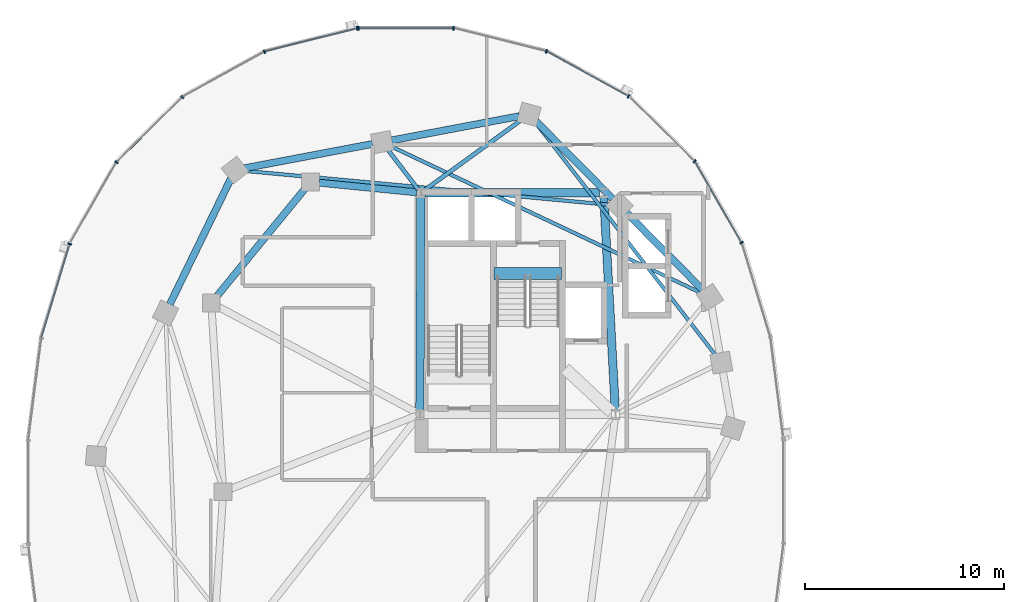
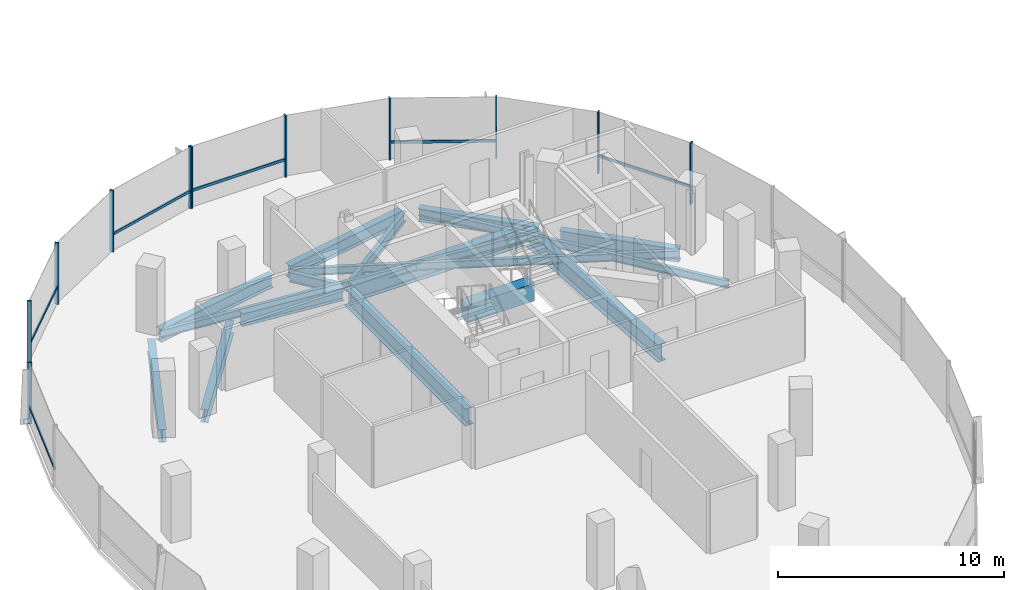
# One storey, part 5 of 21: 17 members, 16 beams, 2 elements without a shape of their own.
"""IFC4 building model written with IfcOpenShell, lengths in metres."""

from ifc_helpers import new_model, si_unit, direction, frame, origin, origin_2d, place, context, subcontext, project, spatial, rectangle, i_section, extrude, material, material_profile, profile_set, type_object, element, aggregate, save


model = new_model("IFC4")

# Units and contexts
model_context = context("Model", 3, precision=1e-05, world=origin(), true_north=direction((0.0, 1.0)))
body_context = subcontext(model_context, "Body", "Model", "MODEL_VIEW")
ifc_project = project(units=[si_unit("LENGTHUNIT", "METRE"), si_unit("AREAUNIT", "SQUARE_METRE"), si_unit("VOLUMEUNIT", "CUBIC_METRE"), si_unit("PLANEANGLEUNIT", "RADIAN"), si_unit("MASSUNIT", "GRAM", prefix="KILO"), si_unit("THERMODYNAMICTEMPERATUREUNIT", "KELVIN"), si_unit("POWERUNIT", "WATT")], contexts=[model_context])

# Site, building, storey
site_placement = place(None, origin())
site = spatial("IfcSite", under=ifc_project, at=site_placement, CompositionType="ELEMENT")
building_placement = place(site_placement, origin())
building = spatial("IfcBuilding", under=site, at=building_placement, Name="Cundina Bronze Exchange", CompositionType="ELEMENT")
storey_placement = place(building_placement, frame((0.0, 0.0, 183.60009765625)))
storey = spatial("IfcBuildingStorey", under=building, at=storey_placement, Name="L48", CompositionType="ELEMENT", Elevation=183.60009765625)

# Beams
ifc_material_1 = material(Name="Concrete C60/75", Category="concrete")
ifc_material_profile_1 = material_profile(ifc_material_1, rectangle(XDim=0.60009765625, YDim=0.949951171875, at=origin_2d()), Name="RC600X950", Category="concrete")
ifc_profile_set_1 = profile_set([ifc_material_profile_1], Name="Concrete C60/75")
beam_type_1 = type_object("IfcBeamType", Name="BM-COUP-RC950", PredefinedType="LINTEL", material=ifc_profile_set_1)
beam_1_placement = place(storey_placement, frame((-27.56005859375, 10.97998046875, -0.47509765625), z_axis=(1.0, 0.0, 0.0), x_axis=(0.0, 1.0, 0.0)))
element("IfcBeam", 1, at=beam_1_placement, inside=storey, type_object=beam_type_1, Name="L48 Stair W2 Landing Header Beam", PredefinedType="LINTEL", context=body_context, shape_type="SweptSolid", body=[
    extrude(rectangle(XDim=0.60009765625, YDim=0.949951171875, at=origin_2d()), origin(), (0.0, 0.0, 1.0), 3.400146484375),
])
ifc_material_2 = material(Name="Steel ASTM A992 Grade 50", Category="steel")
ifc_material_profile_2 = material_profile(ifc_material_2, i_section(OverallWidth=0.2119140625, OverallDepth=0.5439453125, WebThickness=0.01318359375, FlangeThickness=0.021240234375, FilletRadius=0.013916015625, at=origin_2d()), Name="W21X83", Category="steel")
ifc_profile_set_2 = profile_set([ifc_material_profile_2], Name="Steel ASTM A992 Grade 50")
beam_type_2 = type_object("IfcBeamType", Name="BM-FLR-W21A", PredefinedType="BEAM", material=ifc_profile_set_2)
beam_2_placement = place(storey_placement, frame((-31.084716796875, 15.169677734375, -0.51220703125), z_axis=(0.809693047063, 0.586853618492, 0.0), x_axis=(-0.586853618492, 0.809693047063, 0.0)))
element("IfcBeam", 2, at=beam_2_placement, inside=storey, type_object=beam_type_2, Name="L48 Leg W Radial Floor Beam 04", PredefinedType="BEAM", context=body_context, shape_type="SweptSolid", body=[
    extrude(i_section(OverallWidth=0.2119140625, OverallDepth=0.5439453125, WebThickness=0.01318359375, FlangeThickness=0.021240234375, FilletRadius=0.013916015625, at=origin_2d()), origin(), (0.0, 0.0, 1.0), 6.038818359375),
])
beam_3_placement = place(storey_placement, frame((-31.373779296875, 15.2119140625, -0.51220703125), z_axis=(-0.607450107571, 0.794357832977, 0.0), x_axis=(-0.794357832977, -0.607450107571, 0.0)))
element("IfcBeam", 3, at=beam_3_placement, inside=storey, type_object=beam_type_2, Name="L48 Leg W Radial Floor Beam 05", PredefinedType="BEAM", context=body_context, shape_type="SweptSolid", body=[
    extrude(i_section(OverallWidth=0.2119140625, OverallDepth=0.5439453125, WebThickness=0.01318359375, FlangeThickness=0.021240234375, FilletRadius=0.013916015625, at=origin_2d()), origin(), (0.0, 0.0, 1.0), 2.518310546875),
])
ifc_material_profile_3 = material_profile(ifc_material_2, i_section(OverallWidth=0.178955078125, OverallDepth=0.409912109375, WebThickness=0.0087890625, FlangeThickness=0.014404296875, FilletRadius=0.010986328125, at=origin_2d()), Name="W16X45", Category="steel")
ifc_profile_set_3 = profile_set([ifc_material_profile_3], Name="Steel ASTM A992 Grade 50")
beam_type_3 = type_object("IfcBeamType", Name="BM-JST-W16", PredefinedType="JOIST", material=ifc_profile_set_3)
beam_4_placement = place(storey_placement, frame((-16.423583984375, 6.885986328125, -0.445068359375), z_axis=(-0.61208354334, 0.790793105668, 0.0), x_axis=(-0.790793105668, -0.61208354334, 0.0)))
element("IfcBeam", 4, at=beam_4_placement, inside=storey, type_object=beam_type_3, Name="L48 Leg W Lobe Floor Joist 01-04", PredefinedType="JOIST", context=body_context, shape_type="SweptSolid", body=[
    extrude(i_section(OverallWidth=0.178955078125, OverallDepth=0.409912109375, WebThickness=0.0087890625, FlangeThickness=0.014404296875, FilletRadius=0.010986328125, at=origin_2d()), origin(), (0.0, 0.0, 1.0), 14.830810546875),
])
beam_5_placement = place(storey_placement, frame((-17.14111328125, 10.008544921875, -0.445068359375), z_axis=(-0.904074252188, 0.427375416385, 0.0), x_axis=(-0.427375416385, -0.904074252188, 0.0)))
element("IfcBeam", 5, at=beam_5_placement, inside=storey, type_object=beam_type_3, Name="L48 Leg W Lobe Floor Joist 02-05", PredefinedType="JOIST", context=body_context, shape_type="SweptSolid", body=[
    extrude(i_section(OverallWidth=0.178955078125, OverallDepth=0.409912109375, WebThickness=0.0087890625, FlangeThickness=0.014404296875, FilletRadius=0.010986328125, at=origin_2d()), origin(), (0.0, 0.0, 1.0), 17.274658203125),
])
beam_6_placement = place(storey_placement, frame((-21.73583984375, 14.4453125, -0.445068359375), z_axis=(-0.995701840093, 0.092616659595, 0.0), x_axis=(-0.092616659595, -0.995701840093, 0.0)))
element("IfcBeam", 6, at=beam_6_placement, inside=storey, type_object=beam_type_3, Name="L48 Leg W Lobe Floor Joist 03-06", PredefinedType="JOIST", context=body_context, shape_type="SweptSolid", body=[
    extrude(i_section(OverallWidth=0.178955078125, OverallDepth=0.409912109375, WebThickness=0.0087890625, FlangeThickness=0.014404296875, FilletRadius=0.010986328125, at=origin_2d()), origin(), (0.0, 0.0, 1.0), 18.45751953125),
])
ifc_material_profile_4 = material_profile(ifc_material_2, i_section(OverallWidth=0.35498046875, OverallDepth=0.695068359375, WebThickness=0.015380859375, FlangeThickness=0.02490234375, FilletRadius=0.01806640625, at=origin_2d()), Name="W27X146", Category="steel")
ifc_profile_set_4 = profile_set([ifc_material_profile_4], Name="Steel ASTM A992 Grade 50")
beam_type_4 = type_object("IfcBeamType", Name="BM-RING-W27", PredefinedType="USERDEFINED", material=ifc_profile_set_4)
beam_7_placement = place(storey_placement, frame((-31.452880859375, 15.070068359375, -0.587646484375), z_axis=(-0.995123020608, 0.098641643622, 0.0), x_axis=(-0.098641643622, -0.995123020608, 0.0)))
element("IfcBeam", 7, at=beam_7_placement, inside=storey, type_object=beam_type_4, Name="L48 W Inner Structural Ring Girder 01", ObjectType="GIRDER", PredefinedType="USERDEFINED", context=body_context, shape_type="SweptSolid", body=[
    extrude(i_section(OverallWidth=0.35498046875, OverallDepth=0.695068359375, WebThickness=0.015380859375, FlangeThickness=0.02490234375, FilletRadius=0.01806640625, at=origin_2d()), origin(), (0.0, 0.0, 1.0), 4.935302734375),
])
beam_8_placement = place(storey_placement, frame((-37.07763671875, 15.26123046875, -0.587646484375), z_axis=(-0.633912590175, -0.77340469873, 0.0), x_axis=(0.77340469873, -0.633912590175, 0.0)))
element("IfcBeam", 8, at=beam_8_placement, inside=storey, type_object=beam_type_4, Name="L48 W Inner Structural Ring Girder 02", ObjectType="GIRDER", PredefinedType="USERDEFINED", context=body_context, shape_type="SweptSolid", body=[
    extrude(i_section(OverallWidth=0.35498046875, OverallDepth=0.695068359375, WebThickness=0.015380859375, FlangeThickness=0.02490234375, FilletRadius=0.01806640625, at=origin_2d()), origin(), (0.0, 0.0, 1.0), 7.01123046875),
])
beam_9_placement = place(storey_placement, frame((-17.043212890625, 10.14697265625, -0.587646484375), z_axis=(-0.703230112979, 0.710962311378, 0.0), x_axis=(-0.710962311378, -0.703230112979, 0.0)))
element("IfcBeam", 9, at=beam_9_placement, inside=storey, type_object=beam_type_4, Name="L48 W Perimeter Ring Girder 02", ObjectType="GIRDER", PredefinedType="USERDEFINED", context=body_context, shape_type="SweptSolid", body=[
    extrude(i_section(OverallWidth=0.35498046875, OverallDepth=0.695068359375, WebThickness=0.015380859375, FlangeThickness=0.02490234375, FilletRadius=0.01806640625, at=origin_2d()), origin(), (0.0, 0.0, 1.0), 5.493896484375),
])
beam_10_placement = place(storey_placement, frame((-21.59326171875, 14.746826171875, -0.587646484375), z_axis=(-0.703207895705, 0.710984286337, 0.0), x_axis=(-0.710984286337, -0.703207895705, 0.0)))
element("IfcBeam", 10, at=beam_10_placement, inside=storey, type_object=beam_type_4, Name="L48 W Perimeter Ring Girder 03", ObjectType="GIRDER", PredefinedType="USERDEFINED", context=body_context, shape_type="SweptSolid", body=[
    extrude(i_section(OverallWidth=0.35498046875, OverallDepth=0.695068359375, WebThickness=0.015380859375, FlangeThickness=0.02490234375, FilletRadius=0.01806640625, at=origin_2d()), origin(), (0.0, 0.0, 1.0), 5.494140625),
])
beam_11_placement = place(storey_placement, frame((-26.279541015625, 18.9091796875, -0.587646484375), z_axis=(-0.982571532667, -0.185884865421, 0.0), x_axis=(0.185884865421, -0.982571532667, 0.0)))
element("IfcBeam", 11, at=beam_11_placement, inside=storey, type_object=beam_type_4, Name="L48 W Perimeter Ring Girder 04", ObjectType="GIRDER", PredefinedType="USERDEFINED", context=body_context, shape_type="SweptSolid", body=[
    extrude(i_section(OverallWidth=0.35498046875, OverallDepth=0.695068359375, WebThickness=0.015380859375, FlangeThickness=0.02490234375, FilletRadius=0.01806640625, at=origin_2d()), origin(), (0.0, 0.0, 1.0), 6.55517578125),
])
beam_12_placement = place(storey_placement, frame((-33.679443359375, 17.50927734375, -0.587646484375), z_axis=(-0.982572819495, -0.185878063226, 0.0), x_axis=(0.185878063226, -0.982572819495, 0.0)))
element("IfcBeam", 12, at=beam_12_placement, inside=storey, type_object=beam_type_4, Name="L48 W Perimeter Ring Girder 05", ObjectType="GIRDER", PredefinedType="USERDEFINED", context=body_context, shape_type="SweptSolid", body=[
    extrude(i_section(OverallWidth=0.35498046875, OverallDepth=0.695068359375, WebThickness=0.015380859375, FlangeThickness=0.02490234375, FilletRadius=0.01806640625, at=origin_2d()), origin(), (0.0, 0.0, 1.0), 6.555419921875),
])
beam_13_placement = place(storey_placement, frame((-40.8134765625, 15.760986328125, -0.587646484375), z_axis=(-0.437196998825, -0.89936576776, 0.0), x_axis=(0.89936576776, -0.437196998825, 0.0)))
element("IfcBeam", 13, at=beam_13_placement, inside=storey, type_object=beam_type_4, Name="L48 W Perimeter Ring Girder 06", ObjectType="GIRDER", PredefinedType="USERDEFINED", context=body_context, shape_type="SweptSolid", body=[
    extrude(i_section(OverallWidth=0.35498046875, OverallDepth=0.695068359375, WebThickness=0.015380859375, FlangeThickness=0.02490234375, FilletRadius=0.01806640625, at=origin_2d()), origin(), (0.0, 0.0, 1.0), 7.029541015625),
])
ifc_material_profile_5 = material_profile(ifc_material_2, i_section(OverallWidth=0.41796875, OverallDepth=0.927001953125, WebThickness=0.019287109375, FlangeThickness=0.031982421875, FilletRadius=0.02392578125, at=origin_2d()), Name="W36X231", Category="steel")
ifc_profile_set_5 = profile_set([ifc_material_profile_5], Name="Steel ASTM A992 Grade 50")
beam_type_5 = type_object("IfcBeamType", Name="BM-WRN-W36B", PredefinedType="USERDEFINED", material=ifc_profile_set_5)
beam_14_placement = place(storey_placement, frame((-21.4609375, 4.103759765625, -0.70361328125), z_axis=(-0.053739193498, 0.998555005537, 0.0), x_axis=(-0.998555005537, -0.053739193498, 0.0)))
element("IfcBeam", 14, at=beam_14_placement, inside=storey, type_object=beam_type_5, Name="L48 W Core Perimeter Tie Girder 2", ObjectType="GIRDER", PredefinedType="USERDEFINED", context=body_context, shape_type="SweptSolid", body=[
    extrude(i_section(OverallWidth=0.41796875, OverallDepth=0.927001953125, WebThickness=0.019287109375, FlangeThickness=0.031982421875, FilletRadius=0.02392578125, at=origin_2d()), origin(), (0.0, 0.0, 1.0), 10.758056640625),
])
beam_15_placement = place(storey_placement, frame((-22.25390625, 15.050048828125, -0.70361328125), z_axis=(-1.0, 0.0, 0.0), x_axis=(0.0, -1.0, 0.0)))
element("IfcBeam", 15, at=beam_15_placement, inside=storey, type_object=beam_type_5, Name="L48 W Core Perimeter Tie Girder 3", ObjectType="GIRDER", PredefinedType="USERDEFINED", context=body_context, shape_type="SweptSolid", body=[
    extrude(i_section(OverallWidth=0.41796875, OverallDepth=0.927001953125, WebThickness=0.019287109375, FlangeThickness=0.031982421875, FilletRadius=0.02392578125, at=origin_2d()), origin(), (0.0, 0.0, 1.0), 8.7919921875),
])
beam_16_placement = place(storey_placement, frame((-31.2509765625, 14.845947265625, -0.70361328125), z_axis=(-0.004477329608, -0.99998997671, 0.0), x_axis=(0.99998997671, -0.004477329608, 0.0)))
element("IfcBeam", 16, at=beam_16_placement, inside=storey, type_object=beam_type_5, Name="L48 W Core Perimeter Tie Girder 4", ObjectType="GIRDER", PredefinedType="USERDEFINED", context=body_context, shape_type="SweptSolid", body=[
    extrude(i_section(OverallWidth=0.41796875, OverallDepth=0.927001953125, WebThickness=0.019287109375, FlangeThickness=0.031982421875, FilletRadius=0.02392578125, at=origin_2d()), origin(), (0.0, 0.0, 1.0), 10.741943359375),
])

# Curtain wall, members
ifc_material_3 = material(Name="Anodised Bronze Aluminium 6063-T6", Category="aluminium")
curtain_wall_type = type_object("IfcCurtainWallType", Name="CWS-WST-PIN", PredefinedType="NOTDEFINED", material=ifc_material_3)
curtain_wall_1_placement = place(storey_placement, origin())
curtain_wall_1 = element("IfcCurtainWall", 17, at=curtain_wall_1_placement, inside=storey, type_object=curtain_wall_type, Name="L48 CW-04 Curtain Wall Run CWR-L48-W1", PredefinedType="NOTDEFINED")
ifc_material_profile_6 = material_profile(ifc_material_3, rectangle(XDim=0.070068359375, YDim=0.18994140625, at=origin_2d()), Name="AL70X190", Category="aluminium")
ifc_profile_set_6 = profile_set([ifc_material_profile_6], Name="Anodised Bronze Aluminium 6063-T6")
member_type_1 = type_object("IfcMemberType", Name="CWM-MUL-190", PredefinedType="MULLION", material=ifc_profile_set_6)
member_1_placement = place(storey_placement, frame((-15.10205078125, 12.541259765625, 0.0), z_axis=(0.0, 0.0, 1.0), x_axis=(-0.498487739754, 0.866896748936, 0.0)))
member_1 = element("IfcMember", 18, at=member_1_placement, type_object=member_type_1, Name="CW-04 Mullion 3", PredefinedType="MULLION", context=body_context, shape_type="SweptSolid", body=[
    extrude(rectangle(XDim=0.070068359375, YDim=0.18994140625, at=origin_2d()), origin(), (0.0, 0.0, 1.0), 3.31982421875),
])
member_2_placement = place(storey_placement, frame((-17.469482421875, 16.640380859375, 0.0), z_axis=(0.0, 0.0, 1.0), x_axis=(-0.712026045991, 0.702153052995, 0.0)))
member_2 = element("IfcMember", 19, at=member_2_placement, type_object=member_type_1, Name="CW-04 Mullion 4", PredefinedType="MULLION", context=body_context, shape_type="SweptSolid", body=[
    extrude(rectangle(XDim=0.070068359375, YDim=0.18994140625, at=origin_2d()), origin(), (0.0, 0.0, 1.0), 3.31982421875),
])
member_3_placement = place(storey_placement, frame((-20.79345703125, 19.906005859375, 0.0), z_axis=(0.0, 0.0, 1.0), x_axis=(-0.875885937035, 0.482518212408, 0.0)))
member_3 = element("IfcMember", 20, at=member_3_placement, type_object=member_type_1, Name="CW-04 Mullion 5", PredefinedType="MULLION", context=body_context, shape_type="SweptSolid", body=[
    extrude(rectangle(XDim=0.070068359375, YDim=0.18994140625, at=origin_2d()), origin(), (0.0, 0.0, 1.0), 3.31982421875),
])
member_4_placement = place(storey_placement, frame((-24.932373046875, 22.17626953125, 0.0), z_axis=(0.0, 0.0, 1.0), x_axis=(-0.970084240161, 0.242768546132, 0.0)))
member_4 = element("IfcMember", 21, at=member_4_placement, type_object=member_type_1, Name="CW-04 Mullion 6", PredefinedType="MULLION", context=body_context, shape_type="SweptSolid", body=[
    extrude(rectangle(XDim=0.070068359375, YDim=0.18994140625, at=origin_2d()), origin(), (0.0, 0.0, 1.0), 3.31982421875),
])
member_5_placement = place(storey_placement, frame((-29.60595703125, 23.3369140625, 0.0), z_axis=(0.0, 0.0, 1.0), x_axis=(-1.0, 0.0, 0.0)))
member_5 = element("IfcMember", 22, at=member_5_placement, type_object=member_type_1, Name="CW-04 Mullion 7", PredefinedType="MULLION", context=body_context, shape_type="SweptSolid", body=[
    extrude(rectangle(XDim=0.070068359375, YDim=0.18994140625, at=origin_2d()), origin(), (0.0, 0.0, 1.0), 3.31982421875),
])
member_6_placement = place(storey_placement, frame((-34.39404296875, 23.3369140625, 0.0), z_axis=(0.0, 0.0, 1.0), x_axis=(-1.0, 0.0, 0.0)))
member_6 = element("IfcMember", 23, at=member_6_placement, type_object=member_type_1, Name="CW-04 End Mullion", PredefinedType="MULLION", context=body_context, shape_type="SweptSolid", body=[
    extrude(rectangle(XDim=0.070068359375, YDim=0.18994140625, at=origin_2d()), origin(), (0.0, 0.0, 1.0), 3.31982421875),
])

curtain_wall_2_placement = place(storey_placement, origin())
curtain_wall_2 = element("IfcCurtainWall", 24, at=curtain_wall_2_placement, inside=storey, type_object=curtain_wall_type, Name="L48 CW-04 Curtain Wall Run CWR-L48-W2", PredefinedType="NOTDEFINED")
member_7_placement = place(storey_placement, frame((-34.462646484375, 23.32861328125, 0.0), z_axis=(0.0, 0.0, 1.0), x_axis=(-0.970084240161, -0.242768546132, 0.0)))
member_7 = element("IfcMember", 25, at=member_7_placement, type_object=member_type_1, Name="CW-04 Mullion 1", PredefinedType="MULLION", context=body_context, shape_type="SweptSolid", body=[
    extrude(rectangle(XDim=0.070068359375, YDim=0.18994140625, at=origin_2d()), origin(), (0.0, 0.0, 1.0), 3.31982421875),
])
member_8_placement = place(storey_placement, frame((-39.13037109375, 22.151611328125, 0.0), z_axis=(0.0, 0.0, 1.0), x_axis=(-0.875885937035, -0.482518212408, 0.0)))
member_8 = element("IfcMember", 26, at=member_8_placement, type_object=member_type_1, Name="CW-04 Mullion 2", PredefinedType="MULLION", context=body_context, shape_type="SweptSolid", body=[
    extrude(rectangle(XDim=0.070068359375, YDim=0.18994140625, at=origin_2d()), origin(), (0.0, 0.0, 1.0), 3.31982421875),
])
member_9_placement = place(storey_placement, frame((-43.259033203125, 19.86669921875, 0.0), z_axis=(0.0, 0.0, 1.0), x_axis=(-0.712026045991, -0.702153052995, 0.0)))
member_9 = element("IfcMember", 27, at=member_9_placement, type_object=member_type_1, Name="CW-04 Mullion 3", PredefinedType="MULLION", context=body_context, shape_type="SweptSolid", body=[
    extrude(rectangle(XDim=0.070068359375, YDim=0.18994140625, at=origin_2d()), origin(), (0.0, 0.0, 1.0), 3.31982421875),
])
member_10_placement = place(storey_placement, frame((-46.57080078125, 16.588134765625, 0.0), z_axis=(0.0, 0.0, 1.0), x_axis=(-0.498487739754, -0.866896748936, 0.0)))
member_10 = element("IfcMember", 28, at=member_10_placement, type_object=member_type_1, Name="CW-04 Mullion 4", PredefinedType="MULLION", context=body_context, shape_type="SweptSolid", body=[
    extrude(rectangle(XDim=0.070068359375, YDim=0.18994140625, at=origin_2d()), origin(), (0.0, 0.0, 1.0), 3.31982421875),
])
member_11_placement = place(storey_placement, frame((-48.92626953125, 12.4755859375, 0.0), z_axis=(0.0, 0.0, 1.0), x_axis=(-0.290034140915, -0.957016299288, 0.0)))
member_11 = element("IfcMember", 29, at=member_11_placement, type_object=member_type_1, Name="CW-04 Mullion 5", PredefinedType="MULLION", context=body_context, shape_type="SweptSolid", body=[
    extrude(rectangle(XDim=0.070068359375, YDim=0.18994140625, at=origin_2d()), origin(), (0.0, 0.0, 1.0), 3.31982421875),
])

# Member
ifc_material_profile_7 = material_profile(ifc_material_3, rectangle(XDim=0.06494140625, YDim=0.14990234375, at=origin_2d()), Name="AL65X150", Category="aluminium")
ifc_profile_set_7 = profile_set([ifc_material_profile_7], Name="Anodised Bronze Aluminium 6063-T6")
member_type_2 = type_object("IfcMemberType", Name="CWM-TRN-150", PredefinedType="USERDEFINED", material=ifc_profile_set_7)
member_12_placement = place(storey_placement, frame((-15.121337890625, 12.574462890625, 0.919921875), z_axis=(-0.498479967047, 0.866901218394, 0.0), x_axis=(-0.866901218394, -0.498479967047, 0.0)))
member_12 = element("IfcMember", 30, at=member_12_placement, type_object=member_type_2, Name="CW-04 Spandrel Transom 3", ObjectType="TRANSOM", PredefinedType="USERDEFINED", context=body_context, shape_type="SweptSolid", body=[
    extrude(rectangle(XDim=0.06494140625, YDim=0.14990234375, at=origin_2d()), origin(), (0.0, 0.0, 1.0), 4.66845703125),
])

member_13_placement = place(storey_placement, frame((-20.8271484375, 19.924560546875, 0.919921875), z_axis=(-0.875878981549, 0.482530838062, 0.0), x_axis=(-0.482530838062, -0.875878981549, 0.0)))
member_13 = element("IfcMember", 31, at=member_13_placement, type_object=member_type_2, Name="CW-04 Spandrel Transom 5", ObjectType="TRANSOM", PredefinedType="USERDEFINED", context=body_context, shape_type="SweptSolid", body=[
    extrude(rectangle(XDim=0.06494140625, YDim=0.14990234375, at=origin_2d()), origin(), (0.0, 0.0, 1.0), 4.65380859375),
])

member_14_placement = place(storey_placement, frame((-29.64453125, 23.3369140625, 0.919921875), z_axis=(-1.0, 0.0, 0.0), x_axis=(0.0, -1.0, 0.0)))
member_14 = element("IfcMember", 32, at=member_14_placement, type_object=member_type_2, Name="CW-04 Spandrel Transom 7", ObjectType="TRANSOM", PredefinedType="USERDEFINED", context=body_context, shape_type="SweptSolid", body=[
    extrude(rectangle(XDim=0.06494140625, YDim=0.14990234375, at=origin_2d()), origin(), (0.0, 0.0, 1.0), 4.7109375),
])

aggregate(curtain_wall_1, [member_1, member_12, member_2, member_3, member_13, member_4, member_5, member_6, member_14])

member_15_placement = place(storey_placement, frame((-34.5, 23.319091796875, 0.919921875), z_axis=(-0.970100130035, -0.242705042606, 0.0), x_axis=(0.242705042606, -0.970100130035, 0.0)))
member_15 = element("IfcMember", 33, at=member_15_placement, type_object=member_type_2, Name="CW-04 Spandrel Transom 1", ObjectType="TRANSOM", PredefinedType="USERDEFINED", context=body_context, shape_type="SweptSolid", body=[
    extrude(rectangle(XDim=0.06494140625, YDim=0.14990234375, at=origin_2d()), origin(), (0.0, 0.0, 1.0), 4.746826171875),
])

member_16_placement = place(storey_placement, frame((-43.28662109375, 19.839599609375, 0.919921875), z_axis=(-0.712005023839, -0.702174370102, 0.0), x_axis=(0.702174370102, -0.712005023839, 0.0)))
member_16 = element("IfcMember", 34, at=member_16_placement, type_object=member_type_2, Name="CW-04 Spandrel Transom 3", ObjectType="TRANSOM", PredefinedType="USERDEFINED", context=body_context, shape_type="SweptSolid", body=[
    extrude(rectangle(XDim=0.06494140625, YDim=0.14990234375, at=origin_2d()), origin(), (0.0, 0.0, 1.0), 4.594482421875),
])

member_17_placement = place(storey_placement, frame((-48.937255859375, 12.43896484375, 0.919921875), z_axis=(-0.290051855969, -0.957010930371, 0.0), x_axis=(0.957010930371, -0.290051855969, 0.0)))
member_17 = element("IfcMember", 35, at=member_17_placement, type_object=member_type_2, Name="CW-04 Spandrel Transom 5", ObjectType="TRANSOM", PredefinedType="USERDEFINED", context=body_context, shape_type="SweptSolid", body=[
    extrude(rectangle(XDim=0.06494140625, YDim=0.14990234375, at=origin_2d()), origin(), (0.0, 0.0, 1.0), 4.876953125),
])

aggregate(curtain_wall_2, [member_7, member_15, member_8, member_9, member_16, member_10, member_11, member_17])

save(model, "model.ifc")
